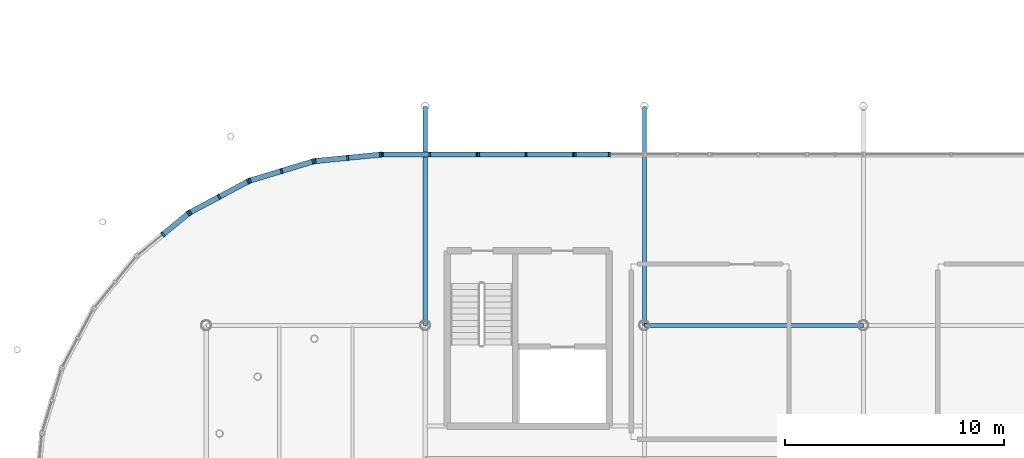
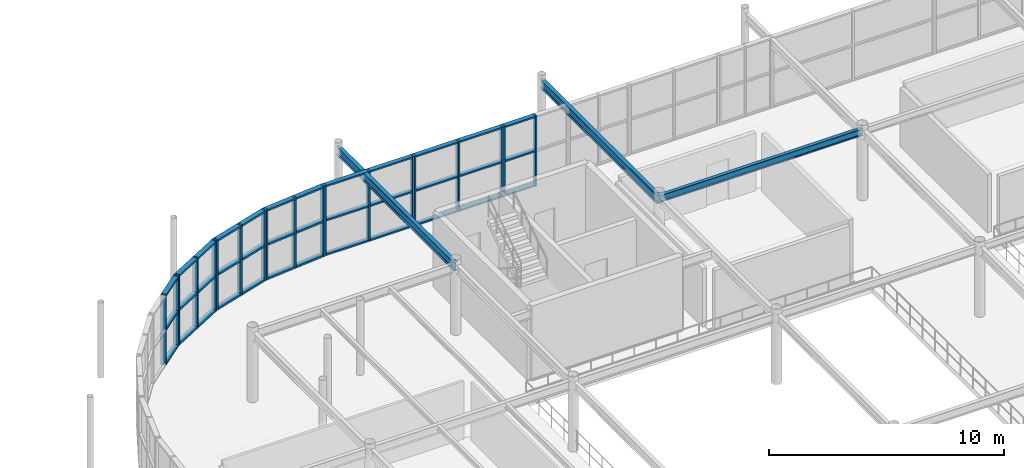
# One storey, part 47 of 98: 55 members, 3 beams, 7 elements without a shape of their own.
"""IFC4 building model written with IfcOpenShell, lengths in metres."""

from ifc_helpers import new_model, si_unit, derived_unit, direction, frame, origin, origin_2d_with_axis, place, context, subcontext, project, spatial, rectangle, i_section, extrude, material, material_profile, profile_set, type_object, element, aggregate, save


model = new_model("IFC4")

# Units and contexts
model_context = context("Model", 3, precision=1e-05, world=origin(), true_north=direction((0.0, 1.0)))
body_context = subcontext(model_context, "Body", "Model", "MODEL_VIEW")
ifc_project = project(units=[si_unit("LENGTHUNIT", "METRE"), si_unit("AREAUNIT", "SQUARE_METRE"), si_unit("VOLUMEUNIT", "CUBIC_METRE"), si_unit("PLANEANGLEUNIT", "RADIAN"), si_unit("MASSUNIT", "GRAM", prefix="KILO"), derived_unit("THERMALTRANSMITTANCEUNIT", [(si_unit("POWERUNIT", "WATT"), 1), (si_unit("LENGTHUNIT", "METRE"), -2), (si_unit("THERMODYNAMICTEMPERATUREUNIT", "KELVIN"), -1)])], contexts=[model_context])

# Site, building, storey
site_placement = place(None, origin())
site = spatial("IfcSite", under=ifc_project, at=site_placement, CompositionType="ELEMENT")
building_placement = place(site_placement, origin())
building = spatial("IfcBuilding", under=site, at=building_placement, Name="Cinnabar Yard Market Hall", CompositionType="ELEMENT")
storey_placement = place(building_placement, frame((0.0, 0.0, 4.5)))
storey = spatial("IfcBuildingStorey", under=building, at=storey_placement, Name="L01", CompositionType="ELEMENT", Elevation=4.5)

# Beams
ifc_material_1 = material(Name="Steel Grade 300 (300 MPa)", Category="steel")
ifc_material_profile_1 = material_profile(ifc_material_1, i_section(OverallWidth=0.18994140625, OverallDepth=0.453857421875, WebThickness=0.008544921875, FlangeThickness=0.0126953125, FilletRadius=0.011474609375, at=origin_2d_with_axis()), Name="460UB67.1")
ifc_profile_set_1 = profile_set([ifc_material_profile_1], Name="Steel Grade 300 (300 MPa)")
beam_type_1 = type_object("IfcBeamType", Name="BM-B05E", PredefinedType="BEAM", material=ifc_profile_set_1)
for number, where, z_axis, x_axis, name in (
    (1, (86.0, 64.0, 3.423095703125), (0.0, 1.0, 0.0), (-1.0, 0.0, 0.0), "L01 Gallery North Tie 00288"),
    (2, (96.0, 64.0, 3.423095703125), (0.0, 1.0, 0.0), (-1.0, 0.0, 0.0), "L01 Gallery North Tie 00290"),
):
    element("IfcBeam", number, at=place(storey_placement, frame(where, z_axis=z_axis, x_axis=x_axis)), inside=storey, type_object=beam_type_1, Name=name, PredefinedType="BEAM", context=body_context, shape_type="SweptSolid", body=[
        extrude(i_section(OverallWidth=0.18994140625, OverallDepth=0.453857421875, WebThickness=0.008544921875, FlangeThickness=0.0126953125, FilletRadius=0.011474609375, at=origin_2d_with_axis()), origin(), (0.0, 0.0, 1.0), 10.0),
    ])
ifc_material_profile_2 = material_profile(ifc_material_1, i_section(OverallWidth=0.1708984375, OverallDepth=0.355712890625, WebThickness=0.00732421875, FlangeThickness=0.011474609375, FilletRadius=0.011474609375, at=origin_2d_with_axis()), Name="360UB50.7")
ifc_profile_set_2 = profile_set([ifc_material_profile_2], Name="Steel Grade 300 (300 MPa)")
beam_type_2 = type_object("IfcBeamType", Name="BM-B10", PredefinedType="BEAM", material=ifc_profile_set_2)
beam_placement = place(storey_placement, frame((96.0, 64.0, 3.47216796875), z_axis=(1.0, 0.0, 0.0), x_axis=(0.0, 1.0, 0.0)))
element("IfcBeam", 3, at=beam_placement, inside=storey, type_object=beam_type_2, Name="L01 Gallery Girder X 00263", PredefinedType="BEAM", context=body_context, shape_type="SweptSolid", body=[
    extrude(i_section(OverallWidth=0.1708984375, OverallDepth=0.355712890625, WebThickness=0.00732421875, FlangeThickness=0.011474609375, FilletRadius=0.011474609375, at=origin_2d_with_axis()), origin(), (0.0, 0.0, 1.0), 10.0),
])

# Curtain wall, members
ifc_material_2 = material(Name="Anodised bronze aluminium curved-chord facade", Category="aluminium")
curtain_wall_type_1 = type_object("IfcCurtainWallType", Name="CW-CWC031x36", PredefinedType="NOTDEFINED", material=ifc_material_2)
curtain_wall_1_placement = place(storey_placement, origin())
curtain_wall_1 = element("IfcCurtainWall", 4, at=curtain_wall_1_placement, inside=storey, type_object=curtain_wall_type_1, Name="Corner NW Chord 1 L01", PredefinedType="NOTDEFINED")
ifc_material_3 = material(Name="Anodised bronze aluminium", Category="aluminium")
ifc_material_profile_3 = material_profile(ifc_material_3, rectangle(XDim=0.239990234375, YDim=0.090087890625, at=origin_2d_with_axis()), Name="MUL-CWC")
ifc_profile_set_3 = profile_set([ifc_material_profile_3], Name="Anodised bronze aluminium")
member_type_1 = type_object("IfcMemberType", Name="CWM-CWC", PredefinedType="MULLION", material=ifc_profile_set_3)
member_1_placement = place(storey_placement, frame((83.955322265625, 71.795654296875, 0.0), z_axis=(0.0, 0.0, 1.0), x_axis=(0.098020369342, -0.995184408637, 0.0)))
member_1 = element("IfcMember", 5, at=member_1_placement, type_object=member_type_1, Name="CWC031x36 mullion 1", PredefinedType="MULLION", context=body_context, shape_type="SweptSolid", body=[
    extrude(rectangle(XDim=0.239990234375, YDim=0.090087890625, at=origin_2d_with_axis()), origin(), (0.0, 0.0, 1.0), 3.64990234375),
])
member_2_placement = place(storey_placement, frame((82.458740234375, 71.648193359375, 0.0), z_axis=(0.0, 0.0, 1.0), x_axis=(0.098020369342, -0.995184408637, 0.0)))
member_2 = element("IfcMember", 6, at=member_2_placement, type_object=member_type_1, Name="CWC031x36 mullion 2", PredefinedType="MULLION", context=body_context, shape_type="SweptSolid", body=[
    extrude(rectangle(XDim=0.239990234375, YDim=0.090087890625, at=origin_2d_with_axis()), origin(), (0.0, 0.0, 1.0), 3.64990234375),
])
member_3_placement = place(storey_placement, frame((80.96240234375, 71.500732421875, 0.0), z_axis=(0.0, 0.0, 1.0), x_axis=(0.098020369342, -0.995184408637, 0.0)))
member_3 = element("IfcMember", 7, at=member_3_placement, type_object=member_type_1, Name="CWC031x36 mullion 3", PredefinedType="MULLION", context=body_context, shape_type="SweptSolid", body=[
    extrude(rectangle(XDim=0.239990234375, YDim=0.090087890625, at=origin_2d_with_axis()), origin(), (0.0, 0.0, 1.0), 3.64990234375),
])

curtain_wall_2_placement = place(storey_placement, origin())
curtain_wall_2 = element("IfcCurtainWall", 8, at=curtain_wall_2_placement, inside=storey, type_object=curtain_wall_type_1, Name="Corner NW Chord 2 L01", PredefinedType="NOTDEFINED")
member_4_placement = place(storey_placement, frame((80.87451171875, 71.4833984375, 0.0), z_axis=(0.0, 0.0, 1.0), x_axis=(0.290278891325, -0.956942090856, 0.0)))
member_4 = element("IfcMember", 9, at=member_4_placement, type_object=member_type_1, Name="CWC031x36 mullion 1", PredefinedType="MULLION", context=body_context, shape_type="SweptSolid", body=[
    extrude(rectangle(XDim=0.239990234375, YDim=0.090087890625, at=origin_2d_with_axis()), origin(), (0.0, 0.0, 1.0), 3.64990234375),
])
member_5_placement = place(storey_placement, frame((79.435546875, 71.046875, 0.0), z_axis=(0.0, 0.0, 1.0), x_axis=(0.290278891325, -0.956942090856, 0.0)))
member_5 = element("IfcMember", 10, at=member_5_placement, type_object=member_type_1, Name="CWC031x36 mullion 2", PredefinedType="MULLION", context=body_context, shape_type="SweptSolid", body=[
    extrude(rectangle(XDim=0.239990234375, YDim=0.090087890625, at=origin_2d_with_axis()), origin(), (0.0, 0.0, 1.0), 3.64990234375),
])
member_6_placement = place(storey_placement, frame((77.99658203125, 70.6103515625, 0.0), z_axis=(0.0, 0.0, 1.0), x_axis=(0.290278891325, -0.956942090856, 0.0)))
member_6 = element("IfcMember", 11, at=member_6_placement, type_object=member_type_1, Name="CWC031x36 mullion 3", PredefinedType="MULLION", context=body_context, shape_type="SweptSolid", body=[
    extrude(rectangle(XDim=0.239990234375, YDim=0.090087890625, at=origin_2d_with_axis()), origin(), (0.0, 0.0, 1.0), 3.64990234375),
])

curtain_wall_3_placement = place(storey_placement, origin())
curtain_wall_3 = element("IfcCurtainWall", 12, at=curtain_wall_3_placement, inside=storey, type_object=curtain_wall_type_1, Name="Corner NW Chord 3 L01", PredefinedType="NOTDEFINED")
member_7_placement = place(storey_placement, frame((77.913818359375, 70.576171875, 0.0), z_axis=(0.0, 0.0, 1.0), x_axis=(0.471404114786, -0.881917320707, 0.0)))
member_7 = element("IfcMember", 13, at=member_7_placement, type_object=member_type_1, Name="CWC031x36 mullion 1", PredefinedType="MULLION", context=body_context, shape_type="SweptSolid", body=[
    extrude(rectangle(XDim=0.239990234375, YDim=0.090087890625, at=origin_2d_with_axis()), origin(), (0.0, 0.0, 1.0), 3.64990234375),
])
member_8_placement = place(storey_placement, frame((76.587890625, 69.8671875, 0.0), z_axis=(0.0, 0.0, 1.0), x_axis=(0.471404114786, -0.881917320707, 0.0)))
member_8 = element("IfcMember", 14, at=member_8_placement, type_object=member_type_1, Name="CWC031x36 mullion 2", PredefinedType="MULLION", context=body_context, shape_type="SweptSolid", body=[
    extrude(rectangle(XDim=0.239990234375, YDim=0.090087890625, at=origin_2d_with_axis()), origin(), (0.0, 0.0, 1.0), 3.64990234375),
])
member_9_placement = place(storey_placement, frame((75.26171875, 69.158447265625, 0.0), z_axis=(0.0, 0.0, 1.0), x_axis=(0.471404114786, -0.881917320707, 0.0)))
member_9 = element("IfcMember", 15, at=member_9_placement, type_object=member_type_1, Name="CWC031x36 mullion 3", PredefinedType="MULLION", context=body_context, shape_type="SweptSolid", body=[
    extrude(rectangle(XDim=0.239990234375, YDim=0.090087890625, at=origin_2d_with_axis()), origin(), (0.0, 0.0, 1.0), 3.64990234375),
])

curtain_wall_4_placement = place(storey_placement, origin())
curtain_wall_4 = element("IfcCurtainWall", 16, at=curtain_wall_4_placement, inside=storey, type_object=curtain_wall_type_1, Name="Corner NW Chord 4 L01", PredefinedType="NOTDEFINED")
member_10_placement = place(storey_placement, frame((75.187255859375, 69.108642578125, 0.0), z_axis=(0.0, 0.0, 1.0), x_axis=(0.634383400924, -0.773018564222, 0.0)))
member_10 = element("IfcMember", 17, at=member_10_placement, type_object=member_type_1, Name="CWC031x36 mullion 1", PredefinedType="MULLION", context=body_context, shape_type="SweptSolid", body=[
    extrude(rectangle(XDim=0.239990234375, YDim=0.090087890625, at=origin_2d_with_axis()), origin(), (0.0, 0.0, 1.0), 3.64990234375),
])
member_11_placement = place(storey_placement, frame((74.02490234375, 68.15478515625, 0.0), z_axis=(0.0, 0.0, 1.0), x_axis=(0.634383400924, -0.773018564222, 0.0)))
member_11 = element("IfcMember", 18, at=member_11_placement, type_object=member_type_1, Name="CWC031x36 mullion 2", PredefinedType="MULLION", context=body_context, shape_type="SweptSolid", body=[
    extrude(rectangle(XDim=0.239990234375, YDim=0.090087890625, at=origin_2d_with_axis()), origin(), (0.0, 0.0, 1.0), 3.64990234375),
])

ifc_material_4 = material(Name="Anodised bronze aluminium and low-E glass", Category="aluminium")
curtain_wall_type_2 = type_object("IfcCurtainWallType", Name="CW-CWH044x36", PredefinedType="NOTDEFINED", material=ifc_material_4)
curtain_wall_5_placement = place(storey_placement, origin())
curtain_wall_5 = element("IfcCurtainWall", 19, at=curtain_wall_5_placement, inside=storey, type_object=curtain_wall_type_2, Name="Market Hall North Gallery Glazing B1A", PredefinedType="NOTDEFINED")
ifc_material_profile_4 = material_profile(ifc_material_3, rectangle(XDim=0.219970703125, YDim=0.080078125, at=origin_2d_with_axis()), Name="MUL-CWH")
ifc_profile_set_4 = profile_set([ifc_material_profile_4], Name="Anodised bronze aluminium")
member_type_2 = type_object("IfcMemberType", Name="CWM-CWH", PredefinedType="MULLION", material=ifc_profile_set_4)
member_12_placement = place(storey_placement, frame((88.360107421875, 71.800048828125, 0.0), z_axis=(0.0, 0.0, 1.0), x_axis=(0.0, -1.0, 0.0)))
member_12 = element("IfcMember", 20, at=member_12_placement, type_object=member_type_2, Name="CWH044x36 mullion 1", PredefinedType="MULLION", context=body_context, shape_type="SweptSolid", body=[
    extrude(rectangle(XDim=0.219970703125, YDim=0.080078125, at=origin_2d_with_axis()), origin(), (0.0, 0.0, 1.0), 3.64990234375),
])
member_13_placement = place(storey_placement, frame((86.199951171875, 71.800048828125, 0.0), z_axis=(0.0, 0.0, 1.0), x_axis=(0.0, -1.0, 0.0)))
member_13 = element("IfcMember", 21, at=member_13_placement, type_object=member_type_2, Name="CWH044x36 mullion 2", PredefinedType="MULLION", context=body_context, shape_type="SweptSolid", body=[
    extrude(rectangle(XDim=0.219970703125, YDim=0.080078125, at=origin_2d_with_axis()), origin(), (0.0, 0.0, 1.0), 3.64990234375),
])
member_14_placement = place(storey_placement, frame((84.0400390625, 71.800048828125, 0.0), z_axis=(0.0, 0.0, 1.0), x_axis=(0.0, -1.0, 0.0)))
member_14 = element("IfcMember", 22, at=member_14_placement, type_object=member_type_2, Name="CWH044x36 mullion 3", PredefinedType="MULLION", context=body_context, shape_type="SweptSolid", body=[
    extrude(rectangle(XDim=0.219970703125, YDim=0.080078125, at=origin_2d_with_axis()), origin(), (0.0, 0.0, 1.0), 3.64990234375),
])

curtain_wall_6_placement = place(storey_placement, origin())
curtain_wall_6 = element("IfcCurtainWall", 23, at=curtain_wall_6_placement, inside=storey, type_object=curtain_wall_type_2, Name="Market Hall North Gallery Glazing PTW", PredefinedType="NOTDEFINED")
member_15_placement = place(storey_placement, frame((92.760009765625, 71.800048828125, 0.0), z_axis=(0.0, 0.0, 1.0), x_axis=(0.0, -1.0, 0.0)))
member_15 = element("IfcMember", 24, at=member_15_placement, type_object=member_type_2, Name="CWH044x36 mullion 1", PredefinedType="MULLION", context=body_context, shape_type="SweptSolid", body=[
    extrude(rectangle(XDim=0.219970703125, YDim=0.080078125, at=origin_2d_with_axis()), origin(), (0.0, 0.0, 1.0), 3.64990234375),
])
member_16_placement = place(storey_placement, frame((90.60009765625, 71.800048828125, 0.0), z_axis=(0.0, 0.0, 1.0), x_axis=(0.0, -1.0, 0.0)))
member_16 = element("IfcMember", 25, at=member_16_placement, type_object=member_type_2, Name="CWH044x36 mullion 2", PredefinedType="MULLION", context=body_context, shape_type="SweptSolid", body=[
    extrude(rectangle(XDim=0.219970703125, YDim=0.080078125, at=origin_2d_with_axis()), origin(), (0.0, 0.0, 1.0), 3.64990234375),
])
member_17_placement = place(storey_placement, frame((88.43994140625, 71.800048828125, 0.0), z_axis=(0.0, 0.0, 1.0), x_axis=(0.0, -1.0, 0.0)))
member_17 = element("IfcMember", 26, at=member_17_placement, type_object=member_type_2, Name="CWH044x36 mullion 3", PredefinedType="MULLION", context=body_context, shape_type="SweptSolid", body=[
    extrude(rectangle(XDim=0.219970703125, YDim=0.080078125, at=origin_2d_with_axis()), origin(), (0.0, 0.0, 1.0), 3.64990234375),
])

curtain_wall_type_3 = type_object("IfcCurtainWallType", Name="CW-CWH032x36", PredefinedType="NOTDEFINED", material=ifc_material_4)
curtain_wall_7_placement = place(storey_placement, origin())
curtain_wall_7 = element("IfcCurtainWall", 27, at=curtain_wall_7_placement, inside=storey, type_object=curtain_wall_type_3, Name="Market Hall North Gallery Glazing B1B", PredefinedType="NOTDEFINED")
member_18_placement = place(storey_placement, frame((94.39990234375, 71.800048828125, 0.0), z_axis=(0.0, 0.0, 1.0), x_axis=(0.0, -1.0, 0.0)))
member_18 = element("IfcMember", 28, at=member_18_placement, type_object=member_type_2, Name="CWH032x36 mullion 2", PredefinedType="MULLION", context=body_context, shape_type="SweptSolid", body=[
    extrude(rectangle(XDim=0.219970703125, YDim=0.080078125, at=origin_2d_with_axis()), origin(), (0.0, 0.0, 1.0), 3.64990234375),
])
member_19_placement = place(storey_placement, frame((92.840087890625, 71.800048828125, 0.0), z_axis=(0.0, 0.0, 1.0), x_axis=(0.0, -1.0, 0.0)))
member_19 = element("IfcMember", 29, at=member_19_placement, type_object=member_type_2, Name="CWH032x36 mullion 3", PredefinedType="MULLION", context=body_context, shape_type="SweptSolid", body=[
    extrude(rectangle(XDim=0.219970703125, YDim=0.080078125, at=origin_2d_with_axis()), origin(), (0.0, 0.0, 1.0), 3.64990234375),
])

# Member
ifc_material_profile_5 = material_profile(ifc_material_3, rectangle(XDim=0.239990234375, YDim=0.090087890625, at=origin_2d_with_axis()), Name="TRN-CWC")
ifc_profile_set_5 = profile_set([ifc_material_profile_5], Name="Anodised bronze aluminium")
member_type_3 = type_object("IfcMemberType", Name="CWT-CWC", PredefinedType="USERDEFINED", material=ifc_profile_set_5)
member_20_placement = place(storey_placement, frame((83.910400390625, 71.791259765625, 0.044921875), z_axis=(-0.995176425197, -0.098101390058, 0.0), x_axis=(0.098101390058, -0.995176425197, 0.0)))
member_20 = element("IfcMember", 30, at=member_20_placement, type_object=member_type_3, Name="CWC031x36 transom 1.1", ObjectType="TRANSOM", PredefinedType="USERDEFINED", context=body_context, shape_type="SweptSolid", body=[
    extrude(rectangle(XDim=0.239990234375, YDim=0.090087890625, at=origin_2d_with_axis()), origin(), (0.0, 0.0, 1.0), 1.41357421875),
])

member_21_placement = place(storey_placement, frame((83.910400390625, 71.791259765625, 1.824951171875), z_axis=(-0.995176425197, -0.098101390058, 0.0), x_axis=(0.098101390058, -0.995176425197, 0.0)))
member_21 = element("IfcMember", 31, at=member_21_placement, type_object=member_type_3, Name="CWC031x36 transom 1.2", ObjectType="TRANSOM", PredefinedType="USERDEFINED", context=body_context, shape_type="SweptSolid", body=[
    extrude(rectangle(XDim=0.239990234375, YDim=0.090087890625, at=origin_2d_with_axis()), origin(), (0.0, 0.0, 1.0), 1.41357421875),
])

member_22_placement = place(storey_placement, frame((83.910400390625, 71.791259765625, 3.60498046875), z_axis=(-0.995176425197, -0.098101390058, 0.0), x_axis=(0.098101390058, -0.995176425197, 0.0)))
member_22 = element("IfcMember", 32, at=member_22_placement, type_object=member_type_3, Name="CWC031x36 transom 1.3", ObjectType="TRANSOM", PredefinedType="USERDEFINED", context=body_context, shape_type="SweptSolid", body=[
    extrude(rectangle(XDim=0.239990234375, YDim=0.090087890625, at=origin_2d_with_axis()), origin(), (0.0, 0.0, 1.0), 1.41357421875),
])

member_23_placement = place(storey_placement, frame((82.4140625, 71.643798828125, 0.044921875), z_axis=(-0.995178086946, -0.098084531214, 0.0), x_axis=(0.098084531214, -0.995178086946, 0.0)))
member_23 = element("IfcMember", 33, at=member_23_placement, type_object=member_type_3, Name="CWC031x36 transom 2.1", ObjectType="TRANSOM", PredefinedType="USERDEFINED", context=body_context, shape_type="SweptSolid", body=[
    extrude(rectangle(XDim=0.239990234375, YDim=0.090087890625, at=origin_2d_with_axis()), origin(), (0.0, 0.0, 1.0), 1.413818359375),
])

member_24_placement = place(storey_placement, frame((82.4140625, 71.643798828125, 1.824951171875), z_axis=(-0.995178086946, -0.098084531214, 0.0), x_axis=(0.098084531214, -0.995178086946, 0.0)))
member_24 = element("IfcMember", 34, at=member_24_placement, type_object=member_type_3, Name="CWC031x36 transom 2.2", ObjectType="TRANSOM", PredefinedType="USERDEFINED", context=body_context, shape_type="SweptSolid", body=[
    extrude(rectangle(XDim=0.239990234375, YDim=0.090087890625, at=origin_2d_with_axis()), origin(), (0.0, 0.0, 1.0), 1.413818359375),
])

member_25_placement = place(storey_placement, frame((82.4140625, 71.643798828125, 3.60498046875), z_axis=(-0.995178086946, -0.098084531214, 0.0), x_axis=(0.098084531214, -0.995178086946, 0.0)))
member_25 = element("IfcMember", 35, at=member_25_placement, type_object=member_type_3, Name="CWC031x36 transom 2.3", ObjectType="TRANSOM", PredefinedType="USERDEFINED", context=body_context, shape_type="SweptSolid", body=[
    extrude(rectangle(XDim=0.239990234375, YDim=0.090087890625, at=origin_2d_with_axis()), origin(), (0.0, 0.0, 1.0), 1.413818359375),
])

aggregate(curtain_wall_1, [member_1, member_2, member_3, member_20, member_21, member_22, member_23, member_24, member_25])

member_26_placement = place(storey_placement, frame((80.83154296875, 71.47021484375, 0.044921875), z_axis=(-0.956932850279, -0.290309352341, 0.0), x_axis=(0.290309352341, -0.956932850279, 0.0)))
member_26 = element("IfcMember", 36, at=member_26_placement, type_object=member_type_3, Name="CWC031x36 transom 1.1", ObjectType="TRANSOM", PredefinedType="USERDEFINED", context=body_context, shape_type="SweptSolid", body=[
    extrude(rectangle(XDim=0.239990234375, YDim=0.090087890625, at=origin_2d_with_axis()), origin(), (0.0, 0.0, 1.0), 1.41357421875),
])

member_27_placement = place(storey_placement, frame((80.83154296875, 71.47021484375, 1.824951171875), z_axis=(-0.956932850279, -0.290309352341, 0.0), x_axis=(0.290309352341, -0.956932850279, 0.0)))
member_27 = element("IfcMember", 37, at=member_27_placement, type_object=member_type_3, Name="CWC031x36 transom 1.2", ObjectType="TRANSOM", PredefinedType="USERDEFINED", context=body_context, shape_type="SweptSolid", body=[
    extrude(rectangle(XDim=0.239990234375, YDim=0.090087890625, at=origin_2d_with_axis()), origin(), (0.0, 0.0, 1.0), 1.41357421875),
])

member_28_placement = place(storey_placement, frame((80.83154296875, 71.47021484375, 3.60498046875), z_axis=(-0.956932850279, -0.290309352341, 0.0), x_axis=(0.290309352341, -0.956932850279, 0.0)))
member_28 = element("IfcMember", 38, at=member_28_placement, type_object=member_type_3, Name="CWC031x36 transom 1.3", ObjectType="TRANSOM", PredefinedType="USERDEFINED", context=body_context, shape_type="SweptSolid", body=[
    extrude(rectangle(XDim=0.239990234375, YDim=0.090087890625, at=origin_2d_with_axis()), origin(), (0.0, 0.0, 1.0), 1.41357421875),
])

member_29_placement = place(storey_placement, frame((79.392578125, 71.03369140625, 0.044921875), z_axis=(-0.956980816915, -0.290151195166, 0.0), x_axis=(0.290151195166, -0.956980816915, 0.0)))
member_29 = element("IfcMember", 39, at=member_29_placement, type_object=member_type_3, Name="CWC031x36 transom 2.1", ObjectType="TRANSOM", PredefinedType="USERDEFINED", context=body_context, shape_type="SweptSolid", body=[
    extrude(rectangle(XDim=0.239990234375, YDim=0.090087890625, at=origin_2d_with_axis()), origin(), (0.0, 0.0, 1.0), 1.41357421875),
])

member_30_placement = place(storey_placement, frame((79.392578125, 71.03369140625, 1.824951171875), z_axis=(-0.956980816915, -0.290151195166, 0.0), x_axis=(0.290151195166, -0.956980816915, 0.0)))
member_30 = element("IfcMember", 40, at=member_30_placement, type_object=member_type_3, Name="CWC031x36 transom 2.2", ObjectType="TRANSOM", PredefinedType="USERDEFINED", context=body_context, shape_type="SweptSolid", body=[
    extrude(rectangle(XDim=0.239990234375, YDim=0.090087890625, at=origin_2d_with_axis()), origin(), (0.0, 0.0, 1.0), 1.41357421875),
])

member_31_placement = place(storey_placement, frame((79.392578125, 71.03369140625, 3.60498046875), z_axis=(-0.956980816915, -0.290151195166, 0.0), x_axis=(0.290151195166, -0.956980816915, 0.0)))
member_31 = element("IfcMember", 41, at=member_31_placement, type_object=member_type_3, Name="CWC031x36 transom 2.3", ObjectType="TRANSOM", PredefinedType="USERDEFINED", context=body_context, shape_type="SweptSolid", body=[
    extrude(rectangle(XDim=0.239990234375, YDim=0.090087890625, at=origin_2d_with_axis()), origin(), (0.0, 0.0, 1.0), 1.41357421875),
])

aggregate(curtain_wall_2, [member_4, member_5, member_6, member_26, member_27, member_28, member_29, member_30, member_31])

member_32_placement = place(storey_placement, frame((77.874267578125, 70.554931640625, 0.044921875), z_axis=(-0.881903198965, -0.471430533224, 0.0), x_axis=(0.471430533224, -0.881903198965, 0.0)))
member_32 = element("IfcMember", 42, at=member_32_placement, type_object=member_type_3, Name="CWC031x36 transom 1.1", ObjectType="TRANSOM", PredefinedType="USERDEFINED", context=body_context, shape_type="SweptSolid", body=[
    extrude(rectangle(XDim=0.239990234375, YDim=0.090087890625, at=origin_2d_with_axis()), origin(), (0.0, 0.0, 1.0), 1.413818359375),
])

member_33_placement = place(storey_placement, frame((77.874267578125, 70.554931640625, 1.824951171875), z_axis=(-0.881903198965, -0.471430533224, 0.0), x_axis=(0.471430533224, -0.881903198965, 0.0)))
member_33 = element("IfcMember", 43, at=member_33_placement, type_object=member_type_3, Name="CWC031x36 transom 1.2", ObjectType="TRANSOM", PredefinedType="USERDEFINED", context=body_context, shape_type="SweptSolid", body=[
    extrude(rectangle(XDim=0.239990234375, YDim=0.090087890625, at=origin_2d_with_axis()), origin(), (0.0, 0.0, 1.0), 1.413818359375),
])

member_34_placement = place(storey_placement, frame((77.874267578125, 70.554931640625, 3.60498046875), z_axis=(-0.881903198965, -0.471430533224, 0.0), x_axis=(0.471430533224, -0.881903198965, 0.0)))
member_34 = element("IfcMember", 44, at=member_34_placement, type_object=member_type_3, Name="CWC031x36 transom 1.3", ObjectType="TRANSOM", PredefinedType="USERDEFINED", context=body_context, shape_type="SweptSolid", body=[
    extrude(rectangle(XDim=0.239990234375, YDim=0.090087890625, at=origin_2d_with_axis()), origin(), (0.0, 0.0, 1.0), 1.413818359375),
])

member_35_placement = place(storey_placement, frame((76.548095703125, 69.845947265625, 0.044921875), z_axis=(-0.881974989496, -0.471296210365, 0.0), x_axis=(0.471296210365, -0.881974989496, 0.0)))
member_35 = element("IfcMember", 45, at=member_35_placement, type_object=member_type_3, Name="CWC031x36 transom 2.1", ObjectType="TRANSOM", PredefinedType="USERDEFINED", context=body_context, shape_type="SweptSolid", body=[
    extrude(rectangle(XDim=0.239990234375, YDim=0.090087890625, at=origin_2d_with_axis()), origin(), (0.0, 0.0, 1.0), 1.41357421875),
])

member_36_placement = place(storey_placement, frame((76.548095703125, 69.845947265625, 1.824951171875), z_axis=(-0.881974989496, -0.471296210365, 0.0), x_axis=(0.471296210365, -0.881974989496, 0.0)))
member_36 = element("IfcMember", 46, at=member_36_placement, type_object=member_type_3, Name="CWC031x36 transom 2.2", ObjectType="TRANSOM", PredefinedType="USERDEFINED", context=body_context, shape_type="SweptSolid", body=[
    extrude(rectangle(XDim=0.239990234375, YDim=0.090087890625, at=origin_2d_with_axis()), origin(), (0.0, 0.0, 1.0), 1.41357421875),
])

member_37_placement = place(storey_placement, frame((76.548095703125, 69.845947265625, 3.60498046875), z_axis=(-0.881974989496, -0.471296210365, 0.0), x_axis=(0.471296210365, -0.881974989496, 0.0)))
member_37 = element("IfcMember", 47, at=member_37_placement, type_object=member_type_3, Name="CWC031x36 transom 2.3", ObjectType="TRANSOM", PredefinedType="USERDEFINED", context=body_context, shape_type="SweptSolid", body=[
    extrude(rectangle(XDim=0.239990234375, YDim=0.090087890625, at=origin_2d_with_axis()), origin(), (0.0, 0.0, 1.0), 1.41357421875),
])

aggregate(curtain_wall_3, [member_7, member_8, member_9, member_32, member_33, member_34, member_35, member_36, member_37])

member_38_placement = place(storey_placement, frame((75.15234375, 69.080078125, 0.044921875), z_axis=(-0.773040795861, -0.634356309919, 0.0), x_axis=(0.634356309919, -0.773040795861, 0.0)))
member_38 = element("IfcMember", 48, at=member_38_placement, type_object=member_type_3, Name="CWC031x36 transom 1.1", ObjectType="TRANSOM", PredefinedType="USERDEFINED", context=body_context, shape_type="SweptSolid", body=[
    extrude(rectangle(XDim=0.239990234375, YDim=0.090087890625, at=origin_2d_with_axis()), origin(), (0.0, 0.0, 1.0), 1.41357421875),
])

member_39_placement = place(storey_placement, frame((75.15234375, 69.080078125, 1.824951171875), z_axis=(-0.773040795861, -0.634356309919, 0.0), x_axis=(0.634356309919, -0.773040795861, 0.0)))
member_39 = element("IfcMember", 49, at=member_39_placement, type_object=member_type_3, Name="CWC031x36 transom 1.2", ObjectType="TRANSOM", PredefinedType="USERDEFINED", context=body_context, shape_type="SweptSolid", body=[
    extrude(rectangle(XDim=0.239990234375, YDim=0.090087890625, at=origin_2d_with_axis()), origin(), (0.0, 0.0, 1.0), 1.41357421875),
])

member_40_placement = place(storey_placement, frame((75.15234375, 69.080078125, 3.60498046875), z_axis=(-0.773040795861, -0.634356309919, 0.0), x_axis=(0.634356309919, -0.773040795861, 0.0)))
member_40 = element("IfcMember", 50, at=member_40_placement, type_object=member_type_3, Name="CWC031x36 transom 1.3", ObjectType="TRANSOM", PredefinedType="USERDEFINED", context=body_context, shape_type="SweptSolid", body=[
    extrude(rectangle(XDim=0.239990234375, YDim=0.090087890625, at=origin_2d_with_axis()), origin(), (0.0, 0.0, 1.0), 1.41357421875),
])

aggregate(curtain_wall_4, [member_10, member_11, member_38, member_39, member_40])

ifc_material_profile_6 = material_profile(ifc_material_3, rectangle(XDim=0.219970703125, YDim=0.080078125, at=origin_2d_with_axis()), Name="TRN-CWH")
ifc_profile_set_6 = profile_set([ifc_material_profile_6], Name="Anodised bronze aluminium")
member_type_4 = type_object("IfcMemberType", Name="CWT-CWH", PredefinedType="USERDEFINED", material=ifc_profile_set_6)
member_41_placement = place(storey_placement, frame((88.320068359375, 71.800048828125, 0.0400390625), z_axis=(-1.0, 0.0, 0.0), x_axis=(0.0, -1.0, 0.0)))
member_41 = element("IfcMember", 51, at=member_41_placement, type_object=member_type_4, Name="CWH044x36 transom 1.1", ObjectType="TRANSOM", PredefinedType="USERDEFINED", context=body_context, shape_type="SweptSolid", body=[
    extrude(rectangle(XDim=0.219970703125, YDim=0.080078125, at=origin_2d_with_axis()), origin(), (0.0, 0.0, 1.0), 2.080078125),
])

member_42_placement = place(storey_placement, frame((88.320068359375, 71.800048828125, 1.824951171875), z_axis=(-1.0, 0.0, 0.0), x_axis=(0.0, -1.0, 0.0)))
member_42 = element("IfcMember", 52, at=member_42_placement, type_object=member_type_4, Name="CWH044x36 transom 1.2", ObjectType="TRANSOM", PredefinedType="USERDEFINED", context=body_context, shape_type="SweptSolid", body=[
    extrude(rectangle(XDim=0.219970703125, YDim=0.080078125, at=origin_2d_with_axis()), origin(), (0.0, 0.0, 1.0), 2.080078125),
])

member_43_placement = place(storey_placement, frame((88.320068359375, 71.800048828125, 3.610107421875), z_axis=(-1.0, 0.0, 0.0), x_axis=(0.0, -1.0, 0.0)))
member_43 = element("IfcMember", 53, at=member_43_placement, type_object=member_type_4, Name="CWH044x36 transom 1.3", ObjectType="TRANSOM", PredefinedType="USERDEFINED", context=body_context, shape_type="SweptSolid", body=[
    extrude(rectangle(XDim=0.219970703125, YDim=0.080078125, at=origin_2d_with_axis()), origin(), (0.0, 0.0, 1.0), 2.080078125),
])

member_44_placement = place(storey_placement, frame((86.159912109375, 71.800048828125, 0.0400390625), z_axis=(-1.0, 0.0, 0.0), x_axis=(0.0, -1.0, 0.0)))
member_44 = element("IfcMember", 54, at=member_44_placement, type_object=member_type_4, Name="CWH044x36 transom 2.1", ObjectType="TRANSOM", PredefinedType="USERDEFINED", context=body_context, shape_type="SweptSolid", body=[
    extrude(rectangle(XDim=0.219970703125, YDim=0.080078125, at=origin_2d_with_axis()), origin(), (0.0, 0.0, 1.0), 2.079833984375),
])

member_45_placement = place(storey_placement, frame((86.159912109375, 71.800048828125, 1.824951171875), z_axis=(-1.0, 0.0, 0.0), x_axis=(0.0, -1.0, 0.0)))
member_45 = element("IfcMember", 55, at=member_45_placement, type_object=member_type_4, Name="CWH044x36 transom 2.2", ObjectType="TRANSOM", PredefinedType="USERDEFINED", context=body_context, shape_type="SweptSolid", body=[
    extrude(rectangle(XDim=0.219970703125, YDim=0.080078125, at=origin_2d_with_axis()), origin(), (0.0, 0.0, 1.0), 2.079833984375),
])

member_46_placement = place(storey_placement, frame((86.159912109375, 71.800048828125, 3.610107421875), z_axis=(-1.0, 0.0, 0.0), x_axis=(0.0, -1.0, 0.0)))
member_46 = element("IfcMember", 56, at=member_46_placement, type_object=member_type_4, Name="CWH044x36 transom 2.3", ObjectType="TRANSOM", PredefinedType="USERDEFINED", context=body_context, shape_type="SweptSolid", body=[
    extrude(rectangle(XDim=0.219970703125, YDim=0.080078125, at=origin_2d_with_axis()), origin(), (0.0, 0.0, 1.0), 2.079833984375),
])

aggregate(curtain_wall_5, [member_12, member_13, member_14, member_41, member_42, member_43, member_44, member_45, member_46])

member_47_placement = place(storey_placement, frame((92.719970703125, 71.800048828125, 0.0400390625), z_axis=(-1.0, 0.0, 0.0), x_axis=(0.0, -1.0, 0.0)))
member_47 = element("IfcMember", 57, at=member_47_placement, type_object=member_type_4, Name="CWH044x36 transom 1.1", ObjectType="TRANSOM", PredefinedType="USERDEFINED", context=body_context, shape_type="SweptSolid", body=[
    extrude(rectangle(XDim=0.219970703125, YDim=0.080078125, at=origin_2d_with_axis()), origin(), (0.0, 0.0, 1.0), 2.080078125),
])

member_48_placement = place(storey_placement, frame((92.719970703125, 71.800048828125, 1.824951171875), z_axis=(-1.0, 0.0, 0.0), x_axis=(0.0, -1.0, 0.0)))
member_48 = element("IfcMember", 58, at=member_48_placement, type_object=member_type_4, Name="CWH044x36 transom 1.2", ObjectType="TRANSOM", PredefinedType="USERDEFINED", context=body_context, shape_type="SweptSolid", body=[
    extrude(rectangle(XDim=0.219970703125, YDim=0.080078125, at=origin_2d_with_axis()), origin(), (0.0, 0.0, 1.0), 2.080078125),
])

member_49_placement = place(storey_placement, frame((92.719970703125, 71.800048828125, 3.610107421875), z_axis=(-1.0, 0.0, 0.0), x_axis=(0.0, -1.0, 0.0)))
member_49 = element("IfcMember", 59, at=member_49_placement, type_object=member_type_4, Name="CWH044x36 transom 1.3", ObjectType="TRANSOM", PredefinedType="USERDEFINED", context=body_context, shape_type="SweptSolid", body=[
    extrude(rectangle(XDim=0.219970703125, YDim=0.080078125, at=origin_2d_with_axis()), origin(), (0.0, 0.0, 1.0), 2.080078125),
])

member_50_placement = place(storey_placement, frame((90.56005859375, 71.800048828125, 0.0400390625), z_axis=(-1.0, 0.0, 0.0), x_axis=(0.0, -1.0, 0.0)))
member_50 = element("IfcMember", 60, at=member_50_placement, type_object=member_type_4, Name="CWH044x36 transom 2.1", ObjectType="TRANSOM", PredefinedType="USERDEFINED", context=body_context, shape_type="SweptSolid", body=[
    extrude(rectangle(XDim=0.219970703125, YDim=0.080078125, at=origin_2d_with_axis()), origin(), (0.0, 0.0, 1.0), 2.080078125),
])

member_51_placement = place(storey_placement, frame((90.56005859375, 71.800048828125, 1.824951171875), z_axis=(-1.0, 0.0, 0.0), x_axis=(0.0, -1.0, 0.0)))
member_51 = element("IfcMember", 61, at=member_51_placement, type_object=member_type_4, Name="CWH044x36 transom 2.2", ObjectType="TRANSOM", PredefinedType="USERDEFINED", context=body_context, shape_type="SweptSolid", body=[
    extrude(rectangle(XDim=0.219970703125, YDim=0.080078125, at=origin_2d_with_axis()), origin(), (0.0, 0.0, 1.0), 2.080078125),
])

member_52_placement = place(storey_placement, frame((90.56005859375, 71.800048828125, 3.610107421875), z_axis=(-1.0, 0.0, 0.0), x_axis=(0.0, -1.0, 0.0)))
member_52 = element("IfcMember", 62, at=member_52_placement, type_object=member_type_4, Name="CWH044x36 transom 2.3", ObjectType="TRANSOM", PredefinedType="USERDEFINED", context=body_context, shape_type="SweptSolid", body=[
    extrude(rectangle(XDim=0.219970703125, YDim=0.080078125, at=origin_2d_with_axis()), origin(), (0.0, 0.0, 1.0), 2.080078125),
])

aggregate(curtain_wall_6, [member_15, member_16, member_17, member_47, member_48, member_49, member_50, member_51, member_52])

member_53_placement = place(storey_placement, frame((94.360107421875, 71.800048828125, 0.0400390625), z_axis=(-1.0, 0.0, 0.0), x_axis=(0.0, -1.0, 0.0)))
member_53 = element("IfcMember", 63, at=member_53_placement, type_object=member_type_4, Name="CWH032x36 transom 2.1", ObjectType="TRANSOM", PredefinedType="USERDEFINED", context=body_context, shape_type="SweptSolid", body=[
    extrude(rectangle(XDim=0.219970703125, YDim=0.080078125, at=origin_2d_with_axis()), origin(), (0.0, 0.0, 1.0), 1.480224609375),
])

member_54_placement = place(storey_placement, frame((94.360107421875, 71.800048828125, 1.824951171875), z_axis=(-1.0, 0.0, 0.0), x_axis=(0.0, -1.0, 0.0)))
member_54 = element("IfcMember", 64, at=member_54_placement, type_object=member_type_4, Name="CWH032x36 transom 2.2", ObjectType="TRANSOM", PredefinedType="USERDEFINED", context=body_context, shape_type="SweptSolid", body=[
    extrude(rectangle(XDim=0.219970703125, YDim=0.080078125, at=origin_2d_with_axis()), origin(), (0.0, 0.0, 1.0), 1.480224609375),
])

member_55_placement = place(storey_placement, frame((94.360107421875, 71.800048828125, 3.610107421875), z_axis=(-1.0, 0.0, 0.0), x_axis=(0.0, -1.0, 0.0)))
member_55 = element("IfcMember", 65, at=member_55_placement, type_object=member_type_4, Name="CWH032x36 transom 2.3", ObjectType="TRANSOM", PredefinedType="USERDEFINED", context=body_context, shape_type="SweptSolid", body=[
    extrude(rectangle(XDim=0.219970703125, YDim=0.080078125, at=origin_2d_with_axis()), origin(), (0.0, 0.0, 1.0), 1.480224609375),
])

aggregate(curtain_wall_7, [member_18, member_19, member_53, member_54, member_55])

save(model, "model.ifc")
